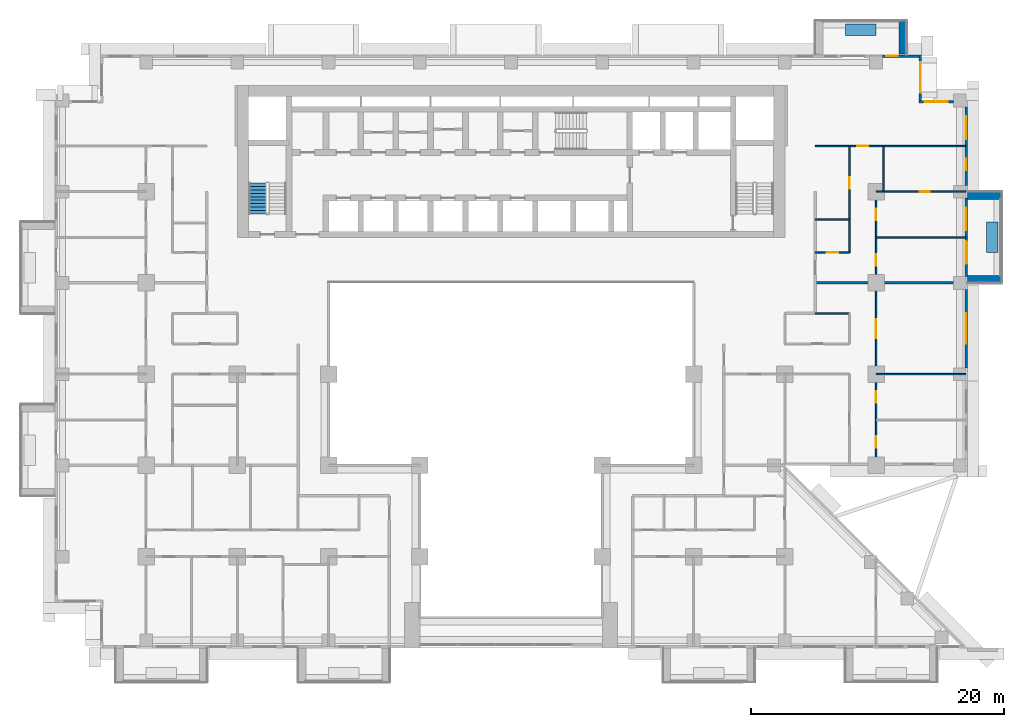
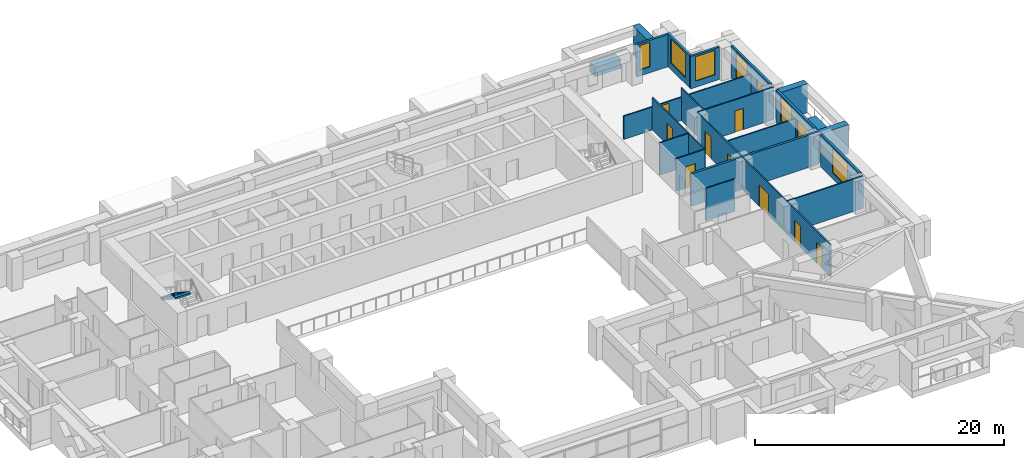
# One storey, part 12 of 17: 22 walls, 10 doors, 7 windows, 1 stair flight, 17 openings, 1 element without a shape of its own.
"""IFC4 building model written with IfcOpenShell, lengths in metres."""

from ifc_helpers import new_model, si_unit, direction, frame, frame_2d, origin, place, context, subcontext, project, spatial, polyline, rectangle, outline, extrude, material, layer, layer_set, type_object, element, fill, aggregate, save


model = new_model("IFC4")

# Units and contexts
model_context = context("Model", 3, precision=1e-05, world=origin(), true_north=direction((0.0, 1.0)))
body_context = subcontext(model_context, "Body", "Model", "MODEL_VIEW")
ifc_project = project(units=[si_unit("LENGTHUNIT", "METRE"), si_unit("AREAUNIT", "SQUARE_METRE"), si_unit("VOLUMEUNIT", "CUBIC_METRE"), si_unit("PLANEANGLEUNIT", "RADIAN"), si_unit("MASSUNIT", "GRAM", prefix="KILO")], contexts=[model_context])

# Site, building, storey
site_placement = place(None, origin())
site = spatial("IfcSite", under=ifc_project, at=site_placement, CompositionType="ELEMENT")
building_placement = place(site_placement, origin())
building = spatial("IfcBuilding", under=site, at=building_placement, Name="Saffron Iwan Residences", CompositionType="ELEMENT")
storey_placement = place(building_placement, frame((0.0, 0.0, 62.0)))
storey = spatial("IfcBuildingStorey", under=building, at=storey_placement, Name="L15", CompositionType="ELEMENT", Elevation=62.0)

# Walls
ifc_material_1 = material(Name="Concrete C50/60 white painted", Category="concrete")
ifc_layer_1 = layer(ifc_material_1, 0.60009765625)
ifc_layer_set_1 = layer_set([ifc_layer_1], Name="Concrete C50/60 white painted")
wall_type_1 = type_object("IfcWallType", Name="BALCONY FIN 600", PredefinedType="SOLIDWALL", material=ifc_layer_set_1)
for number, where, z_axis, x_axis, name in (
    (1, (86.39990234375, 62.699951171875, 0.0), (0.0, 0.0, 1.0), (1.0, 0.0, 0.0), "Balcony fin L15 F2-0a"),
    (2, (86.39990234375, 69.300048828125, 0.0), (0.0, 0.0, 1.0), (1.0, 0.0, 0.0), "Balcony fin L15 F2-0b"),
):
    element("IfcWall", number, at=place(storey_placement, frame(where, z_axis=z_axis, x_axis=x_axis)), inside=storey, type_object=wall_type_1, Name=name, PredefinedType="SOLIDWALL", context=body_context, shape_type="SweptSolid", body=[
        extrude(rectangle(XDim=2.7001953125, YDim=0.60009765625, at=frame_2d((1.35009765625, 0.0))), origin(), (0.0, 0.0, 1.0), 2.85009765625),
    ])
wall_1_placement = place(storey_placement, frame((81.300048828125, 80.449951171875, 0.0), z_axis=(0.0, 0.0, 1.0), x_axis=(0.0, 1.0, 0.0)))
element("IfcWall", 3, at=wall_1_placement, inside=storey, type_object=wall_type_1, Name="Balcony fin L15 F5-0a", PredefinedType="SOLIDWALL", context=body_context, shape_type="SweptSolid", body=[
    extrude(rectangle(XDim=2.650146484375, YDim=0.60009765625, at=frame_2d((1.3251953125, 0.0))), origin(), (0.0, 0.0, 1.0), 2.85009765625),
])
ifc_material_2 = material(Name="Concrete C35/45 white painted", Category="concrete")
ifc_layer_2 = layer(ifc_material_2, 0.14990234375)
ifc_layer_set_2 = layer_set([ifc_layer_2], Name="Concrete C35/45 white painted")
wall_type_2 = type_object("IfcWallType", Name="BALCONY PLANTER", PredefinedType="SOLIDWALL", material=ifc_layer_set_2)
for number, where, z_axis, x_axis, name in (
    (4, (88.375, 64.800048828125, 0.0), (0.0, 0.0, 1.0), (0.0, 1.0, 0.0), "PLANTER L15 F2-0"),
    (5, (79.199951171875, 82.375, 0.0), (0.0, 0.0, 1.0), (-1.0, 0.0, 0.0), "PLANTER L15 F5-0"),
):
    element("IfcWall", number, at=place(storey_placement, frame(where, z_axis=z_axis, x_axis=x_axis)), inside=storey, type_object=wall_type_2, Name=name, PredefinedType="SOLIDWALL", context=body_context, shape_type="SweptSolid", body=[
        extrude(rectangle(XDim=2.39990234375, YDim=0.89990234375, at=frame_2d((1.199951171875, 0.0))), origin(), (0.0, 0.0, 1.0), 0.89990234375),
    ])

# Wall, opening, window
ifc_material_3 = material(Name="Concrete C40/50", Category="concrete")
ifc_layer_3 = layer(ifc_material_3, 0.199951171875)
ifc_layer_set_3 = layer_set([ifc_layer_3], Name="Concrete C40/50")
wall_type_3 = type_object("IfcWallType", Name="EXTERNAL WALL 200", PredefinedType="SOLIDWALL", material=ifc_layer_set_3)
wall_2_placement = place(storey_placement, frame((86.300048828125, 55.699951171875, 0.0), z_axis=(0.0, 0.0, 1.0), x_axis=(0.0, 1.0, 0.0)))
wall_2 = element("IfcWall", 6, at=wall_2_placement, inside=storey, type_object=wall_type_3, Name="External wall L15 F2.1", PredefinedType="SOLIDWALL", context=body_context, shape_type="SweptSolid", body=[
    extrude(rectangle(XDim=6.199951171875, YDim=0.199951171875, at=frame_2d((3.10009765625, 0.0))), origin(), (0.0, 0.0, 1.0), 3.179931640625),
])
opening_1_placement = place(wall_2_placement, frame((1.89990234375, 0.0, 0.60009765625)))
opening_1 = element("IfcOpeningElement", 7, at=opening_1_placement, cuts=wall_2, Name="Opening W1", PredefinedType="OPENING", context=body_context, shape_type="SweptSolid", body=[
    extrude(rectangle(XDim=2.39990234375, YDim=2.39990234375, at=frame_2d((1.199951171875, 1.199951171875))), frame((0.0, 0.10986328125, 0.0), z_axis=(0.0, -1.0, 0.0), x_axis=(1.0, 0.0, 0.0)), (0.0, 0.0, 1.0), 0.219970703125),
])
ifc_material_4 = material(Name="Clear glass, laminated double glazed", Category="glass")
window_type_1 = type_object("IfcWindowType", Name="WINDOW 2400 x 2400", PartitioningType="DOUBLE_PANEL_VERTICAL", PredefinedType="WINDOW", material=ifc_material_4)
window_1_placement = place(opening_1_placement, origin())
window_1 = element("IfcWindow", 8, at=window_1_placement, inside=storey, type_object=window_type_1, Name="Window L15 F2.0", OverallHeight=2.39990234375, OverallWidth=2.39990234375, PartitioningType="DOUBLE_PANEL_VERTICAL", PredefinedType="WINDOW", context=body_context, shape_type="SweptSolid", body=[
    extrude(rectangle(XDim=2.39990234375, YDim=2.39990234375, at=frame_2d((1.199951171875, 1.199951171875))), frame((0.0, 0.030029296875, 0.0), z_axis=(0.0, -1.0, 0.0), x_axis=(1.0, 0.0, 0.0)), (0.0, 0.0, 1.0), 0.06005859375),
])
fill(opening_1, window_1)

# Wall, openings, door, window
wall_3_placement = place(storey_placement, frame((86.300048828125, 62.89990234375, 0.0), z_axis=(0.0, 0.0, 1.0), x_axis=(0.0, 1.0, 0.0)))
wall_3 = element("IfcWall", 9, at=wall_3_placement, inside=storey, type_object=wall_type_3, Name="External wall L15 F2.2", PredefinedType="SOLIDWALL", context=body_context, shape_type="SweptSolid", body=[
    extrude(rectangle(XDim=6.2001953125, YDim=0.199951171875, at=frame_2d((3.10009765625, 0.0))), origin(), (0.0, 0.0, 1.0), 3.179931640625),
])
opening_2_placement = place(wall_3_placement, frame((1.0, 0.0, 0.0)))
opening_2 = element("IfcOpeningElement", 10, at=opening_2_placement, cuts=wall_3, Name="Opening BD1", PredefinedType="OPENING", context=body_context, shape_type="SweptSolid", body=[
    extrude(rectangle(XDim=1.800048828125, YDim=2.39990234375, at=frame_2d((0.89990234375, 1.199951171875))), frame((0.0, 0.10986328125, 0.0), z_axis=(0.0, -1.0, 0.0), x_axis=(1.0, 0.0, 0.0)), (0.0, 0.0, 1.0), 0.219970703125),
])
opening_3_placement = place(wall_3_placement, frame((3.64990234375, 0.0, 0.60009765625)))
opening_3 = element("IfcOpeningElement", 11, at=opening_3_placement, cuts=wall_3, Name="Opening W8", PredefinedType="OPENING", context=body_context, shape_type="SweptSolid", body=[
    extrude(rectangle(XDim=1.800048828125, YDim=2.39990234375, at=frame_2d((0.89990234375, 1.199951171875))), frame((0.0, 0.10986328125, 0.0), z_axis=(0.0, -1.0, 0.0), x_axis=(1.0, 0.0, 0.0)), (0.0, 0.0, 1.0), 0.219970703125),
])
door_type_1 = type_object("IfcDoorType", Name="BALCONY DOOR 1800 x 2400", OperationType="DOUBLE_DOOR_SLIDING", PredefinedType="DOOR", material=ifc_material_4)
door_1_placement = place(opening_2_placement, origin())
door_1 = element("IfcDoor", 12, at=door_1_placement, inside=storey, type_object=door_type_1, Name="Balcony door L15 F2.0", OperationType="DOUBLE_DOOR_SLIDING", OverallHeight=2.39990234375, OverallWidth=1.800048828125, PredefinedType="DOOR", context=body_context, shape_type="SweptSolid", body=[
    extrude(rectangle(XDim=1.800048828125, YDim=2.39990234375, at=frame_2d((0.89990234375, 1.199951171875))), frame((0.0, 0.02490234375, 0.0), z_axis=(0.0, -1.0, 0.0), x_axis=(1.0, 0.0, 0.0)), (0.0, 0.0, 1.0), 0.050048828125),
])
fill(opening_2, door_1)
window_type_2 = type_object("IfcWindowType", Name="WINDOW 1800 x 2400", PartitioningType="DOUBLE_PANEL_VERTICAL", PredefinedType="WINDOW", material=ifc_material_4)
window_2_placement = place(opening_3_placement, origin())
window_2 = element("IfcWindow", 13, at=window_2_placement, inside=storey, type_object=window_type_2, Name="Window L15 F2.1", OverallHeight=2.39990234375, OverallWidth=1.800048828125, PartitioningType="DOUBLE_PANEL_VERTICAL", PredefinedType="WINDOW", context=body_context, shape_type="SweptSolid", body=[
    extrude(rectangle(XDim=1.800048828125, YDim=2.39990234375, at=frame_2d((0.89990234375, 1.199951171875))), frame((0.0, 0.030029296875, 0.0), z_axis=(0.0, -1.0, 0.0), x_axis=(1.0, 0.0, 0.0)), (0.0, 0.0, 1.0), 0.06005859375),
])
fill(opening_3, window_2)

# Wall, openings, windows
wall_4_placement = place(storey_placement, frame((86.300048828125, 70.10009765625, 0.0), z_axis=(0.0, 0.0, 1.0), x_axis=(0.0, 1.0, 0.0)))
wall_4 = element("IfcWall", 14, at=wall_4_placement, inside=storey, type_object=wall_type_3, Name="External wall L15 F2.3", PredefinedType="SOLIDWALL", context=body_context, shape_type="SweptSolid", body=[
    extrude(rectangle(XDim=6.199951171875, YDim=0.199951171875, at=frame_2d((3.10009765625, 0.0))), origin(), (0.0, 0.0, 1.0), 3.179931640625),
])
opening_4_placement = place(wall_4_placement, frame((1.199951171875, 0.0, 1.5)))
opening_4 = element("IfcOpeningElement", 15, at=opening_4_placement, cuts=wall_4, Name="Opening W6", PredefinedType="OPENING", context=body_context, shape_type="SweptSolid", body=[
    extrude(rectangle(XDim=0.89990234375, YDim=0.89990234375, at=frame_2d((0.449951171875, 0.449951171875))), frame((0.0, 0.10986328125, 0.0), z_axis=(0.0, -1.0, 0.0), x_axis=(1.0, 0.0, 0.0)), (0.0, 0.0, 1.0), 0.219970703125),
])
opening_5_placement = place(wall_4_placement, frame((3.64990234375, 0.0, 0.60009765625)))
opening_5 = element("IfcOpeningElement", 16, at=opening_5_placement, cuts=wall_4, Name="Opening W8", PredefinedType="OPENING", context=body_context, shape_type="SweptSolid", body=[
    extrude(rectangle(XDim=1.800048828125, YDim=2.39990234375, at=frame_2d((0.89990234375, 1.199951171875))), frame((0.0, 0.10986328125, 0.0), z_axis=(0.0, -1.0, 0.0), x_axis=(1.0, 0.0, 0.0)), (0.0, 0.0, 1.0), 0.219970703125),
])
window_3_placement = place(opening_5_placement, origin())
window_3 = element("IfcWindow", 17, at=window_3_placement, inside=storey, type_object=window_type_2, Name="Window L15 F2.1", OverallHeight=2.39990234375, OverallWidth=1.800048828125, PartitioningType="DOUBLE_PANEL_VERTICAL", PredefinedType="WINDOW", context=body_context, shape_type="SweptSolid", body=[
    extrude(rectangle(XDim=1.800048828125, YDim=2.39990234375, at=frame_2d((0.89990234375, 1.199951171875))), frame((0.0, 0.030029296875, 0.0), z_axis=(0.0, -1.0, 0.0), x_axis=(1.0, 0.0, 0.0)), (0.0, 0.0, 1.0), 0.06005859375),
])
fill(opening_5, window_3)
window_type_3 = type_object("IfcWindowType", Name="WINDOW 900 x 900 BATH", PartitioningType="SINGLE_PANEL", PredefinedType="WINDOW", material=ifc_material_4)
window_4_placement = place(opening_4_placement, origin())
window_4 = element("IfcWindow", 18, at=window_4_placement, inside=storey, type_object=window_type_3, Name="Window L15 F2.0", OverallHeight=0.89990234375, OverallWidth=0.89990234375, PartitioningType="SINGLE_PANEL", PredefinedType="WINDOW", context=body_context, shape_type="SweptSolid", body=[
    extrude(rectangle(XDim=0.89990234375, YDim=0.89990234375, at=frame_2d((0.449951171875, 0.449951171875))), frame((0.0, 0.030029296875, 0.0), z_axis=(0.0, -1.0, 0.0), x_axis=(1.0, 0.0, 0.0)), (0.0, 0.0, 1.0), 0.06005859375),
])
fill(opening_4, window_4)

# Wall, opening, window
wall_5_placement = place(storey_placement, frame((85.300048828125, 76.699951171875, 0.0), z_axis=(0.0, 0.0, 1.0), x_axis=(-1.0, 0.0, 0.0)))
wall_5 = element("IfcWall", 19, at=wall_5_placement, inside=storey, type_object=wall_type_3, Name="External wall L15 F3.0", PredefinedType="SOLIDWALL", context=body_context, shape_type="SweptSolid", body=[
    extrude(rectangle(XDim=2.699951171875, YDim=0.199951171875, at=frame_2d((1.35009765625, 0.0))), origin(), (0.0, 0.0, 1.0), 3.179931640625),
])
opening_6_placement = place(wall_5_placement, frame((0.449951171875, 0.0, 0.60009765625)))
opening_6 = element("IfcOpeningElement", 20, at=opening_6_placement, cuts=wall_5, Name="Opening W8", PredefinedType="OPENING", context=body_context, shape_type="SweptSolid", body=[
    extrude(rectangle(XDim=1.800048828125, YDim=2.39990234375, at=frame_2d((0.89990234375, 1.199951171875))), frame((0.0, 0.10986328125, 0.0), z_axis=(0.0, -1.0, 0.0), x_axis=(1.0, 0.0, 0.0)), (0.0, 0.0, 1.0), 0.219970703125),
])
window_5_placement = place(opening_6_placement, origin())
window_5 = element("IfcWindow", 21, at=window_5_placement, inside=storey, type_object=window_type_2, Name="Window L15 F3.0", OverallHeight=2.39990234375, OverallWidth=1.800048828125, PartitioningType="DOUBLE_PANEL_VERTICAL", PredefinedType="WINDOW", context=body_context, shape_type="SweptSolid", body=[
    extrude(rectangle(XDim=1.800048828125, YDim=2.39990234375, at=frame_2d((0.89990234375, 1.199951171875))), frame((0.0, 0.030029296875, 0.0), z_axis=(0.0, -1.0, 0.0), x_axis=(1.0, 0.0, 0.0)), (0.0, 0.0, 1.0), 0.06005859375),
])
fill(opening_6, window_5)

wall_6_placement = place(storey_placement, frame((82.699951171875, 76.800048828125, 0.0), z_axis=(0.0, 0.0, 1.0), x_axis=(0.0, 1.0, 0.0)))
wall_6 = element("IfcWall", 22, at=wall_6_placement, inside=storey, type_object=wall_type_3, Name="External wall L15 F4.0", PredefinedType="SOLIDWALL", context=body_context, shape_type="SweptSolid", body=[
    extrude(rectangle(XDim=3.599853515625, YDim=0.199951171875, at=frame_2d((1.7998046875, 0.0))), origin(), (0.0, 0.0, 1.0), 3.179931640625),
])
opening_7_placement = place(wall_6_placement, frame((0.60009765625, 0.0, 0.60009765625)))
opening_7 = element("IfcOpeningElement", 23, at=opening_7_placement, cuts=wall_6, Name="Opening W1", PredefinedType="OPENING", context=body_context, shape_type="SweptSolid", body=[
    extrude(rectangle(XDim=2.39990234375, YDim=2.39990234375, at=frame_2d((1.199951171875, 1.199951171875))), frame((0.0, 0.10986328125, 0.0), z_axis=(0.0, -1.0, 0.0), x_axis=(1.0, 0.0, 0.0)), (0.0, 0.0, 1.0), 0.219970703125),
])
window_6_placement = place(opening_7_placement, origin())
window_6 = element("IfcWindow", 24, at=window_6_placement, inside=storey, type_object=window_type_1, Name="Window L15 F4.0", OverallHeight=2.39990234375, OverallWidth=2.39990234375, PartitioningType="DOUBLE_PANEL_VERTICAL", PredefinedType="WINDOW", context=body_context, shape_type="SweptSolid", body=[
    extrude(rectangle(XDim=2.39990234375, YDim=2.39990234375, at=frame_2d((1.199951171875, 1.199951171875))), frame((0.0, 0.030029296875, 0.0), z_axis=(0.0, -1.0, 0.0), x_axis=(1.0, 0.0, 0.0)), (0.0, 0.0, 1.0), 0.06005859375),
])
fill(opening_7, window_6)

wall_7_placement = place(storey_placement, frame((82.60009765625, 80.300048828125, 0.0), z_axis=(0.0, 0.0, 1.0), x_axis=(-1.0, 0.0, 0.0)))
wall_7 = element("IfcWall", 25, at=wall_7_placement, inside=storey, type_object=wall_type_3, Name="External wall L15 F5.0", PredefinedType="SOLIDWALL", context=body_context, shape_type="SweptSolid", body=[
    extrude(rectangle(XDim=2.900146484375, YDim=0.199951171875, at=frame_2d((1.4501953125, 0.0))), origin(), (0.0, 0.0, 1.0), 3.179931640625),
])
opening_8_placement = place(wall_7_placement, frame((1.699951171875, 0.0, 0.60009765625)))
opening_8 = element("IfcOpeningElement", 26, at=opening_8_placement, cuts=wall_7, Name="Opening W10", PredefinedType="OPENING", context=body_context, shape_type="SweptSolid", body=[
    extrude(rectangle(XDim=0.89990234375, YDim=2.39990234375, at=frame_2d((0.449951171875, 1.199951171875))), frame((0.0, 0.10986328125, 0.0), z_axis=(0.0, -1.0, 0.0), x_axis=(1.0, 0.0, 0.0)), (0.0, 0.0, 1.0), 0.219970703125),
])
window_type_4 = type_object("IfcWindowType", Name="WINDOW 900 x 2400", PartitioningType="SINGLE_PANEL", PredefinedType="WINDOW", material=ifc_material_4)
window_7_placement = place(opening_8_placement, origin())
window_7 = element("IfcWindow", 27, at=window_7_placement, inside=storey, type_object=window_type_4, Name="Window L15 F5.0", OverallHeight=2.39990234375, OverallWidth=0.89990234375, PartitioningType="SINGLE_PANEL", PredefinedType="WINDOW", context=body_context, shape_type="SweptSolid", body=[
    extrude(rectangle(XDim=0.89990234375, YDim=2.39990234375, at=frame_2d((0.449951171875, 1.199951171875))), frame((0.0, 0.030029296875, 0.0), z_axis=(0.0, -1.0, 0.0), x_axis=(1.0, 0.0, 0.0)), (0.0, 0.0, 1.0), 0.06005859375),
])
fill(opening_8, window_7)

# Walls
ifc_material_5 = material(Name="Fire-rated gypsum board wall")
ifc_layer_4 = layer(ifc_material_5, 0.199951171875)
ifc_layer_set_4 = layer_set([ifc_layer_4], Name="Fire-rated gypsum board wall")
wall_type_4 = type_object("IfcWallType", Name="Flat demising wall 200", PredefinedType="SOLIDWALL", material=ifc_layer_set_4)
wall_8_placement = place(storey_placement, frame((74.39990234375, 62.39990234375, 0.0), z_axis=(0.0, 0.0, 1.0), x_axis=(1.0, 0.0, 0.0)))
element("IfcWall", 28, at=wall_8_placement, inside=storey, type_object=wall_type_4, Name="W-L15-DEMISE-h62.4-74.4", PredefinedType="SOLIDWALL", context=body_context, shape_type="SweptSolid", body=[
    extrude(rectangle(XDim=11.875, YDim=0.199951171875, at=frame_2d((5.9375, 0.0))), origin(), (0.0, 0.0, 1.0), 3.179931640625),
])
ifc_material_6 = material(Name="Gypsum board partition")
ifc_layer_5 = layer(ifc_material_6, 0.1201171875)
ifc_layer_set_5 = layer_set([ifc_layer_5], Name="Gypsum board partition")
wall_type_5 = type_object("IfcWallType", Name="Flat partition 120", PredefinedType="PARTITIONING", material=ifc_layer_set_5)
wall_9_placement = place(storey_placement, frame((79.199951171875, 55.199951171875, 0.0), z_axis=(0.0, 0.0, 1.0), x_axis=(1.0, 0.0, 0.0)))
element("IfcWall", 29, at=wall_9_placement, inside=storey, type_object=wall_type_5, Name="W-L15-PART-h55.2-79.2", PredefinedType="PARTITIONING", context=body_context, shape_type="SweptSolid", body=[
    extrude(rectangle(XDim=7.074951171875, YDim=0.1201171875, at=frame_2d((3.53759765625, 0.0))), origin(), (0.0, 0.0, 1.0), 3.179931640625),
])
wall_10_placement = place(storey_placement, frame((74.39990234375, 60.0, 0.0), z_axis=(0.0, 0.0, 1.0), x_axis=(1.0, 0.0, 0.0)))
element("IfcWall", 30, at=wall_10_placement, inside=storey, type_object=wall_type_5, Name="W-L15-PART-h60-74.4", PredefinedType="PARTITIONING", context=body_context, shape_type="SweptSolid", body=[
    extrude(rectangle(XDim=2.7001953125, YDim=0.1201171875, at=frame_2d((1.35009765625, 0.0))), origin(), (0.0, 0.0, 1.0), 3.179931640625),
])

# Wall, opening, door
wall_11_placement = place(storey_placement, frame((74.39990234375, 64.800048828125, 0.0), z_axis=(0.0, 0.0, 1.0), x_axis=(1.0, 0.0, 0.0)))
wall_11 = element("IfcWall", 31, at=wall_11_placement, inside=storey, type_object=wall_type_5, Name="W-L15-PART-h64.8-74.4", PredefinedType="PARTITIONING", context=body_context, shape_type="SweptSolid", body=[
    extrude(rectangle(XDim=2.7001953125, YDim=0.1201171875, at=frame_2d((1.35009765625, 0.0))), origin(), (0.0, 0.0, 1.0), 3.179931640625),
])
opening_9_placement = place(wall_11_placement, frame((0.89990234375, 0.0, 0.0)))
opening_9 = element("IfcOpeningElement", 32, at=opening_9_placement, cuts=wall_11, Name="Opening FD2", PredefinedType="OPENING", context=body_context, shape_type="SweptSolid", body=[
    extrude(rectangle(XDim=0.89990234375, YDim=2.10009765625, at=frame_2d((0.449951171875, 1.050048828125))), frame((0.0, 0.070068359375, 0.0), z_axis=(0.0, -1.0, 0.0), x_axis=(1.0, 0.0, 0.0)), (0.0, 0.0, 1.0), 0.14013671875),
])
ifc_material_7 = material(Name="Timber door", Category="wood")
door_type_2 = type_object("IfcDoorType", Name="Flat door 900", OperationType="NOTDEFINED", PredefinedType="DOOR", material=ifc_material_7)
door_2_placement = place(opening_9_placement, origin())
door_2 = element("IfcDoor", 33, at=door_2_placement, inside=storey, type_object=door_type_2, Name="Door L15-039", OperationType="SINGLE_SWING_LEFT", OverallHeight=2.10009765625, OverallWidth=0.89990234375, PredefinedType="DOOR", context=body_context, shape_type="SweptSolid", body=[
    extrude(rectangle(XDim=0.89990234375, YDim=2.10009765625, at=frame_2d((0.449951171875, 1.050048828125))), frame((0.0, 0.02490234375, 0.0), z_axis=(0.0, -1.0, 0.0), x_axis=(1.0, 0.0, 0.0)), (0.0, 0.0, 1.0), 0.050048828125),
])
fill(opening_9, door_2)

# Walls
wall_12_placement = place(storey_placement, frame((79.199951171875, 66.0, 0.0), z_axis=(0.0, 0.0, 1.0), x_axis=(1.0, 0.0, 0.0)))
element("IfcWall", 34, at=wall_12_placement, inside=storey, type_object=wall_type_5, Name="W-L15-PART-h66-79.2", PredefinedType="PARTITIONING", context=body_context, shape_type="SweptSolid", body=[
    extrude(rectangle(XDim=7.074951171875, YDim=0.1201171875, at=frame_2d((3.53759765625, 0.0))), origin(), (0.0, 0.0, 1.0), 2.280029296875),
])
wall_13_placement = place(storey_placement, frame((74.39990234375, 67.39990234375, 0.0), z_axis=(0.0, 0.0, 1.0), x_axis=(1.0, 0.0, 0.0)))
element("IfcWall", 35, at=wall_13_placement, inside=storey, type_object=wall_type_5, Name="W-L15-PART-h67.4-74.4", PredefinedType="PARTITIONING", context=body_context, shape_type="SweptSolid", body=[
    extrude(rectangle(XDim=2.7001953125, YDim=0.1201171875, at=frame_2d((1.35009765625, 0.0))), origin(), (0.0, 0.0, 1.0), 3.179931640625),
])

# Wall, opening, door
wall_14_placement = place(storey_placement, frame((79.199951171875, 69.60009765625, 0.0), z_axis=(0.0, 0.0, 1.0), x_axis=(1.0, 0.0, 0.0)))
wall_14 = element("IfcWall", 36, at=wall_14_placement, inside=storey, type_object=wall_type_5, Name="W-L15-PART-h69.6-79.2", PredefinedType="PARTITIONING", context=body_context, shape_type="SweptSolid", body=[
    extrude(rectangle(XDim=7.074951171875, YDim=0.1201171875, at=frame_2d((3.53759765625, 0.0))), origin(), (0.0, 0.0, 1.0), 3.179931640625),
])
opening_10_placement = place(wall_14_placement, frame((3.4375, 0.0, 0.0)))
opening_10 = element("IfcOpeningElement", 37, at=opening_10_placement, cuts=wall_14, Name="Opening FD3", PredefinedType="OPENING", context=body_context, shape_type="SweptSolid", body=[
    extrude(rectangle(XDim=0.800048828125, YDim=2.10009765625, at=frame_2d((0.39990234375, 1.050048828125))), frame((0.0, 0.070068359375, 0.0), z_axis=(0.0, -1.0, 0.0), x_axis=(1.0, 0.0, 0.0)), (0.0, 0.0, 1.0), 0.14013671875),
])
door_type_3 = type_object("IfcDoorType", Name="Bathroom door 800", OperationType="NOTDEFINED", PredefinedType="DOOR", material=ifc_material_7)
door_3_placement = place(opening_10_placement, origin())
door_3 = element("IfcDoor", 38, at=door_3_placement, inside=storey, type_object=door_type_3, Name="Door L15-037", OperationType="SINGLE_SWING_RIGHT", OverallHeight=2.10009765625, OverallWidth=0.800048828125, PredefinedType="DOOR", context=body_context, shape_type="SweptSolid", body=[
    extrude(rectangle(XDim=0.800048828125, YDim=2.10009765625, at=frame_2d((0.39990234375, 1.050048828125))), frame((0.0, 0.02490234375, 0.0), z_axis=(0.0, -1.0, 0.0), x_axis=(1.0, 0.0, 0.0)), (0.0, 0.0, 1.0), 0.050048828125),
])
fill(opening_10, door_3)

wall_15_placement = place(storey_placement, frame((74.39990234375, 73.199951171875, 0.0), z_axis=(0.0, 0.0, 1.0), x_axis=(1.0, 0.0, 0.0)))
wall_15 = element("IfcWall", 39, at=wall_15_placement, inside=storey, type_object=wall_type_5, Name="W-L15-PART-h73.2-74.4", PredefinedType="PARTITIONING", context=body_context, shape_type="SweptSolid", body=[
    extrude(rectangle(XDim=11.875, YDim=0.1201171875, at=frame_2d((5.9375, 0.0))), origin(), (0.0, 0.0, 1.0), 2.280029296875),
])
opening_11_placement = place(wall_15_placement, frame((3.300048828125, 0.0, 0.0)))
opening_11 = element("IfcOpeningElement", 40, at=opening_11_placement, cuts=wall_15, Name="Opening FD2", PredefinedType="OPENING", context=body_context, shape_type="SweptSolid", body=[
    extrude(rectangle(XDim=0.89990234375, YDim=2.10009765625, at=frame_2d((0.449951171875, 1.050048828125))), frame((0.0, 0.070068359375, 0.0), z_axis=(0.0, -1.0, 0.0), x_axis=(1.0, 0.0, 0.0)), (0.0, 0.0, 1.0), 0.14013671875),
])
door_4_placement = place(opening_11_placement, origin())
door_4 = element("IfcDoor", 41, at=door_4_placement, inside=storey, type_object=door_type_2, Name="Door L15-038", OperationType="SINGLE_SWING_LEFT", OverallHeight=2.10009765625, OverallWidth=0.89990234375, PredefinedType="DOOR", context=body_context, shape_type="SweptSolid", body=[
    extrude(rectangle(XDim=0.89990234375, YDim=2.10009765625, at=frame_2d((0.449951171875, 1.050048828125))), frame((0.0, 0.02490234375, 0.0), z_axis=(0.0, -1.0, 0.0), x_axis=(1.0, 0.0, 0.0)), (0.0, 0.0, 1.0), 0.050048828125),
])
fill(opening_11, door_4)

wall_16_placement = place(storey_placement, frame((77.10009765625, 64.800048828125, 0.0), z_axis=(0.0, 0.0, 1.0), x_axis=(0.0, 1.0, 0.0)))
wall_16 = element("IfcWall", 42, at=wall_16_placement, inside=storey, type_object=wall_type_5, Name="W-L15-PART-v77.1-64.8", PredefinedType="PARTITIONING", context=body_context, shape_type="SweptSolid", body=[
    extrude(rectangle(XDim=8.39990234375, YDim=0.1201171875, at=frame_2d((4.199951171875, 0.0))), origin(), (0.0, 0.0, 1.0), 3.179931640625),
])
opening_12_placement = place(wall_16_placement, frame((5.050048828125, 0.0, 0.0)))
opening_12 = element("IfcOpeningElement", 43, at=opening_12_placement, cuts=wall_16, Name="Opening FD2", PredefinedType="OPENING", context=body_context, shape_type="SweptSolid", body=[
    extrude(rectangle(XDim=0.89990234375, YDim=2.10009765625, at=frame_2d((0.449951171875, 1.050048828125))), frame((0.0, 0.070068359375, 0.0), z_axis=(0.0, -1.0, 0.0), x_axis=(1.0, 0.0, 0.0)), (0.0, 0.0, 1.0), 0.14013671875),
])
door_5_placement = place(opening_12_placement, origin())
door_5 = element("IfcDoor", 44, at=door_5_placement, inside=storey, type_object=door_type_2, Name="Door L15-040", OperationType="SINGLE_SWING_RIGHT", OverallHeight=2.10009765625, OverallWidth=0.89990234375, PredefinedType="DOOR", context=body_context, shape_type="SweptSolid", body=[
    extrude(rectangle(XDim=0.89990234375, YDim=2.10009765625, at=frame_2d((0.449951171875, 1.050048828125))), frame((0.0, 0.02490234375, 0.0), z_axis=(0.0, -1.0, 0.0), x_axis=(1.0, 0.0, 0.0)), (0.0, 0.0, 1.0), 0.050048828125),
])
fill(opening_12, door_5)

# Wall, openings, doors
wall_17_placement = place(storey_placement, frame((79.199951171875, 48.125, 0.0), z_axis=(0.0, 0.0, 1.0), x_axis=(0.0, 1.0, 0.0)))
wall_17 = element("IfcWall", 45, at=wall_17_placement, inside=storey, type_object=wall_type_5, Name="W-L15-PART-v79.2-48.125", PredefinedType="PARTITIONING", context=body_context, shape_type="SweptSolid", body=[
    extrude(rectangle(XDim=21.47509765625, YDim=0.1201171875, at=frame_2d((10.737548828125, 0.0))), origin(), (0.0, 0.0, 1.0), 3.179931640625),
])
opening_13_placement = place(wall_17_placement, frame((1.28759765625, 0.0, 0.0)))
opening_13 = element("IfcOpeningElement", 46, at=opening_13_placement, cuts=wall_17, Name="Opening FD2", PredefinedType="OPENING", context=body_context, shape_type="SweptSolid", body=[
    extrude(rectangle(XDim=0.89990234375, YDim=2.10009765625, at=frame_2d((0.449951171875, 1.050048828125))), frame((0.0, 0.070068359375, 0.0), z_axis=(0.0, -1.0, 0.0), x_axis=(1.0, 0.0, 0.0)), (0.0, 0.0, 1.0), 0.14013671875),
])
opening_14_placement = place(wall_17_placement, frame((4.824951171875, 0.0, 0.0)))
opening_14 = element("IfcOpeningElement", 47, at=opening_14_placement, cuts=wall_17, Name="Opening FD2", PredefinedType="OPENING", context=body_context, shape_type="SweptSolid", body=[
    extrude(rectangle(XDim=0.89990234375, YDim=2.10009765625, at=frame_2d((0.449951171875, 1.050048828125))), frame((0.0, 0.070068359375, 0.0), z_axis=(0.0, -1.0, 0.0), x_axis=(1.0, 0.0, 0.0)), (0.0, 0.0, 1.0), 0.14013671875),
])
opening_15_placement = place(wall_17_placement, frame((9.925048828125, 0.0, 0.0)))
opening_15 = element("IfcOpeningElement", 48, at=opening_15_placement, cuts=wall_17, Name="Opening FD4", PredefinedType="OPENING", context=body_context, shape_type="SweptSolid", body=[
    extrude(rectangle(XDim=1.5, YDim=2.10009765625, at=frame_2d((0.75, 1.050048828125))), frame((0.0, 0.070068359375, 0.0), z_axis=(0.0, -1.0, 0.0), x_axis=(1.0, 0.0, 0.0)), (0.0, 0.0, 1.0), 0.14013671875),
])
opening_16_placement = place(wall_17_placement, frame((15.625, 0.0, 0.0)))
opening_16 = element("IfcOpeningElement", 49, at=opening_16_placement, cuts=wall_17, Name="Opening FD2", PredefinedType="OPENING", context=body_context, shape_type="SweptSolid", body=[
    extrude(rectangle(XDim=0.89990234375, YDim=2.10009765625, at=frame_2d((0.449951171875, 1.050048828125))), frame((0.0, 0.070068359375, 0.0), z_axis=(0.0, -1.0, 0.0), x_axis=(1.0, 0.0, 0.0)), (0.0, 0.0, 1.0), 0.14013671875),
])
opening_17_placement = place(wall_17_placement, frame((19.22509765625, 0.0, 0.0)))
opening_17 = element("IfcOpeningElement", 50, at=opening_17_placement, cuts=wall_17, Name="Opening FD2", PredefinedType="OPENING", context=body_context, shape_type="SweptSolid", body=[
    extrude(rectangle(XDim=0.89990234375, YDim=2.10009765625, at=frame_2d((0.449951171875, 1.050048828125))), frame((0.0, 0.070068359375, 0.0), z_axis=(0.0, -1.0, 0.0), x_axis=(1.0, 0.0, 0.0)), (0.0, 0.0, 1.0), 0.14013671875),
])
door_type_4 = type_object("IfcDoorType", Name="Double door 1500", OperationType="NOTDEFINED", PredefinedType="DOOR", material=ifc_material_7)
door_6_placement = place(opening_15_placement, origin())
door_6 = element("IfcDoor", 51, at=door_6_placement, inside=storey, type_object=door_type_4, Name="Door L15-023", OperationType="SINGLE_SWING_LEFT", OverallHeight=2.10009765625, OverallWidth=1.5, PredefinedType="DOOR", context=body_context, shape_type="SweptSolid", body=[
    extrude(rectangle(XDim=1.5, YDim=2.10009765625, at=frame_2d((0.75, 1.050048828125))), frame((0.0, 0.02490234375, 0.0), z_axis=(0.0, -1.0, 0.0), x_axis=(1.0, 0.0, 0.0)), (0.0, 0.0, 1.0), 0.050048828125),
])
fill(opening_15, door_6)
door_7_placement = place(opening_13_placement, origin())
door_7 = element("IfcDoor", 52, at=door_7_placement, inside=storey, type_object=door_type_2, Name="Door L15-021", OperationType="SINGLE_SWING_LEFT", OverallHeight=2.10009765625, OverallWidth=0.89990234375, PredefinedType="DOOR", context=body_context, shape_type="SweptSolid", body=[
    extrude(rectangle(XDim=0.89990234375, YDim=2.10009765625, at=frame_2d((0.449951171875, 1.050048828125))), frame((0.0, 0.02490234375, 0.0), z_axis=(0.0, -1.0, 0.0), x_axis=(1.0, 0.0, 0.0)), (0.0, 0.0, 1.0), 0.050048828125),
])
fill(opening_13, door_7)
door_8_placement = place(opening_14_placement, origin())
door_8 = element("IfcDoor", 53, at=door_8_placement, inside=storey, type_object=door_type_2, Name="Door L15-022", OperationType="SINGLE_SWING_RIGHT", OverallHeight=2.10009765625, OverallWidth=0.89990234375, PredefinedType="DOOR", context=body_context, shape_type="SweptSolid", body=[
    extrude(rectangle(XDim=0.89990234375, YDim=2.10009765625, at=frame_2d((0.449951171875, 1.050048828125))), frame((0.0, 0.02490234375, 0.0), z_axis=(0.0, -1.0, 0.0), x_axis=(1.0, 0.0, 0.0)), (0.0, 0.0, 1.0), 0.050048828125),
])
fill(opening_14, door_8)
door_9_placement = place(opening_16_placement, origin())
door_9 = element("IfcDoor", 54, at=door_9_placement, inside=storey, type_object=door_type_2, Name="Door L15-035", OperationType="SINGLE_SWING_LEFT", OverallHeight=2.10009765625, OverallWidth=0.89990234375, PredefinedType="DOOR", context=body_context, shape_type="SweptSolid", body=[
    extrude(rectangle(XDim=0.89990234375, YDim=2.10009765625, at=frame_2d((0.449951171875, 1.050048828125))), frame((0.0, 0.02490234375, 0.0), z_axis=(0.0, -1.0, 0.0), x_axis=(1.0, 0.0, 0.0)), (0.0, 0.0, 1.0), 0.050048828125),
])
fill(opening_16, door_9)
door_10_placement = place(opening_17_placement, origin())
door_10 = element("IfcDoor", 55, at=door_10_placement, inside=storey, type_object=door_type_2, Name="Door L15-036", OperationType="SINGLE_SWING_LEFT", OverallHeight=2.10009765625, OverallWidth=0.89990234375, PredefinedType="DOOR", context=body_context, shape_type="SweptSolid", body=[
    extrude(rectangle(XDim=0.89990234375, YDim=2.10009765625, at=frame_2d((0.449951171875, 1.050048828125))), frame((0.0, 0.02490234375, 0.0), z_axis=(0.0, -1.0, 0.0), x_axis=(1.0, 0.0, 0.0)), (0.0, 0.0, 1.0), 0.050048828125),
])
fill(opening_17, door_10)

# Wall
wall_18_placement = place(storey_placement, frame((79.800048828125, 69.60009765625, 0.0), z_axis=(0.0, 0.0, 1.0), x_axis=(0.0, 1.0, 0.0)))
element("IfcWall", 56, at=wall_18_placement, inside=storey, type_object=wall_type_5, Name="W-L15-PART-v79.8-69.6", PredefinedType="PARTITIONING", context=body_context, shape_type="SweptSolid", body=[
    extrude(rectangle(XDim=3.599853515625, YDim=0.1201171875, at=frame_2d((1.7998046875, 0.0))), origin(), (0.0, 0.0, 1.0), 3.179931640625),
])

# Stair, stair flight
ifc_material_8 = material(Name="Concrete C50/60", Category="concrete")
stair_type = type_object("IfcStairType", Name="Stair ST-CORE", PredefinedType="HALF_TURN_STAIR", material=ifc_material_8)
stair_placement = place(storey_placement, origin())
stair = element("IfcStair", 57, at=stair_placement, inside=storey, type_object=stair_type, Name="L15 Exit Stair ST-W", PredefinedType="HALF_TURN_STAIR")
ifc_layer_6 = layer(ifc_material_8, 0.14990234375)
ifc_layer_set_6 = layer_set([ifc_layer_6], Name="Concrete C50/60")
stair_flight_type = type_object("IfcStairFlightType", Name="Stair flight SFL-RC", PredefinedType="STRAIGHT", material=ifc_layer_set_6)
stair_flight_placement = place(storey_placement, frame((30.39990234375, 70.280029296875, 1.75), z_axis=(0.0, 0.0, 1.0), x_axis=(0.0, -1.0, 0.0)))
stair_flight = element("IfcStairFlight", 58, at=stair_flight_placement, type_object=stair_flight_type, Name="ST-W flight 2", NumberOfRisers=10, NumberOfTreads=9, PredefinedType="STRAIGHT", RiserHeight=0.175, TreadLength=0.27, context=body_context, shape_type="SweptSolid", body=[
    extrude(outline(polyline([(0.0, 0.0), (0.0, 0.175048828125), (0.27001953125, 0.175048828125), (0.27001953125, 0.35009765625), (0.5400390625, 0.35009765625), (0.5400390625, 0.52490234375), (0.81005859375, 0.52490234375), (0.81005859375, 0.699951171875), (1.080078125, 0.699951171875), (1.080078125, 0.875), (1.35009765625, 0.875), (1.35009765625, 1.050048828125), (1.6201171875, 1.050048828125), (1.6201171875, 1.22509765625), (1.889892578125, 1.22509765625), (1.889892578125, 1.39990234375), (2.159912109375, 1.39990234375), (2.159912109375, 1.574951171875), (2.429931640625, 1.574951171875), (2.429931640625, 1.75), (2.429931640625, 1.396484375), (0.275634765625, 0.0), (0.0, 0.0)])), frame((0.0, 0.699951171875, 0.0), z_axis=(0.0, -1.0, 0.0), x_axis=(1.0, 0.0, 0.0)), (0.0, 0.0, 1.0), 1.39990234375),
])
aggregate(stair, [stair_flight])

save(model, "model.ifc")
